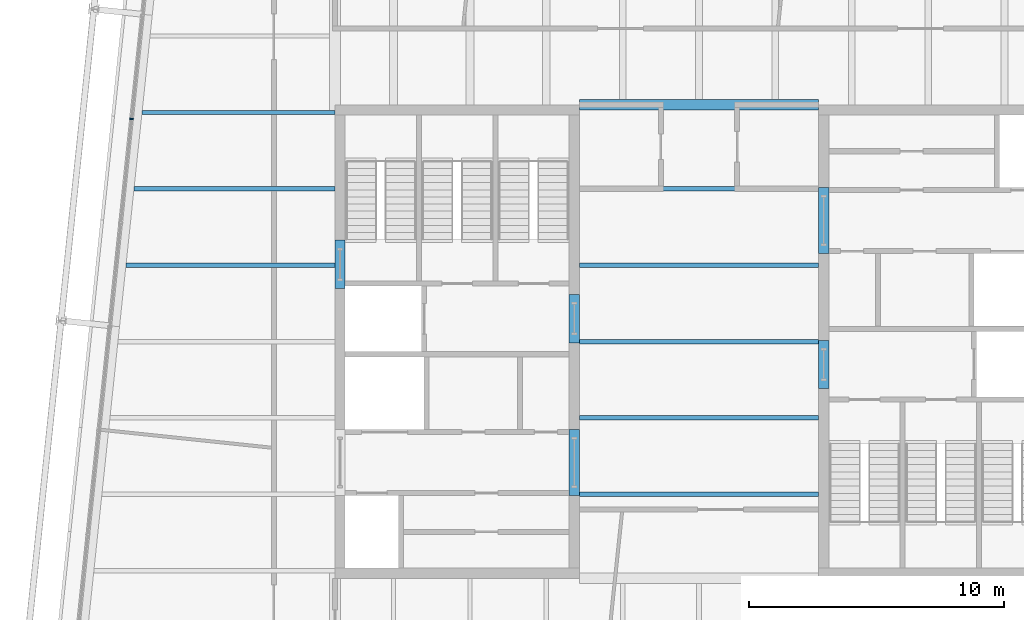
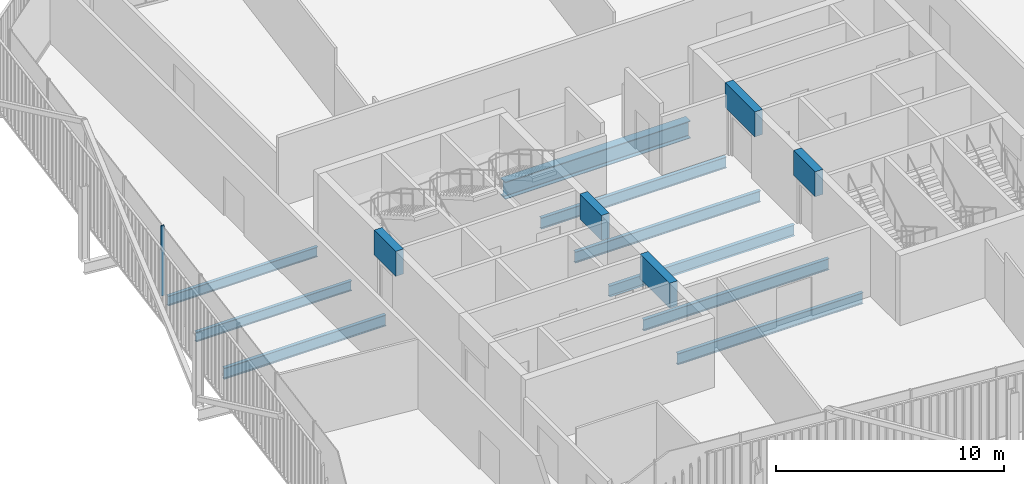
# One storey, part 8 of 21: 14 beams, 1 member, 1 element without a shape of its own.
"""IFC4 building model written with IfcOpenShell, lengths in metres."""

import ifcopenshell
import ifcopenshell.guid

model = None  # the IFC model being written
_history = None  # IfcOwnerHistory: only IFC2X3 demands one
_inside = {}  # id of a spatial element -> (the spatial element, [elements in it])
_under = {}  # id of a project, library or spatial element -> (it, [spatial elements below it])
_declared = {}  # id of a project -> (the project, [libraries it declares])
_typed = {}  # id of a type object -> (the type object, [elements of that type])
_made_of = {}  # id of a material, layer set ... -> (it, [elements and type objects made of it])


def new_model(schema):
    """Start an empty IFC model of exactly this schema.

    Asked for "IFC4X3", IfcOpenShell would pick the latest addendum, in which some entities
    have other attributes; the version numbers below select the first issue.
    IFC2X3 requires an IfcOwnerHistory on every rooted entity: one is made here for all.
    """
    global model, _history
    if schema == "IFC4X3":
        model = ifcopenshell.file(schema_version=(4, 3, 0, 0))
    else:
        model = ifcopenshell.file(schema=schema)
    _inside.clear()
    _under.clear()
    _declared.clear()
    _typed.clear()
    _made_of.clear()
    _history = None
    if model.schema == "IFC2X3":
        org = make("IfcOrganization", Name="unknown")
        user = make(
            "IfcPersonAndOrganization",
            ThePerson=make("IfcPerson", FamilyName="unknown"),
            TheOrganization=org,
        )
        app = make(
            "IfcApplication",
            ApplicationDeveloper=org,
            Version="unknown",
            ApplicationFullName="unknown",
            ApplicationIdentifier="unknown",
        )
        _history = make(
            "IfcOwnerHistory",
            OwningUser=user,
            OwningApplication=app,
            ChangeAction="ADDED",
            CreationDate=0,
        )
    return model


def make(cls, **values):
    """One entity of the class cls with the attributes given. An attribute that is None is left unset."""
    return model.create_entity(
        cls, **{name: value for name, value in values.items() if value is not None}
    )


def rooted(cls, **values):
    """An entity with a GlobalId (a new one), such as an element, a storey or a relation."""
    return make(cls, GlobalId=ifcopenshell.guid.new(), OwnerHistory=_history, **values)


def si_unit(unit_type, name, prefix=None):
    """IfcSIUnit, for example si_unit("LENGTHUNIT", "METRE", prefix="MILLI")."""
    return make("IfcSIUnit", UnitType=unit_type, Prefix=prefix, Name=name)


def assignment(units):
    """IfcUnitAssignment: the units of a project."""
    return None if units is None else make("IfcUnitAssignment", Units=units)


def point(xyz):
    """IfcCartesianPoint."""
    return None if xyz is None else make("IfcCartesianPoint", Coordinates=xyz)


def direction(xyz):
    """IfcDirection."""
    return None if xyz is None else make("IfcDirection", DirectionRatios=xyz)


def frame(location, z_axis=None, x_axis=None):
    """IfcAxis2Placement3D, a coordinate frame: its origin and axes. An axis left out is left unset."""
    return make(
        "IfcAxis2Placement3D",
        Location=point(location),
        Axis=direction(z_axis),
        RefDirection=direction(x_axis),
    )


def frame_2d(location, x_axis=None):
    """IfcAxis2Placement2D, a coordinate frame in the plane: its origin and x axis."""
    return make(
        "IfcAxis2Placement2D", Location=point(location), RefDirection=direction(x_axis)
    )


def origin():
    """The frame at (0, 0, 0) with its axes left unset."""
    return frame((0.0, 0.0, 0.0))


def origin_2d():
    """The frame at (0, 0) in the plane with its x axis left unset."""
    return frame_2d((0.0, 0.0))


def place(relative_to, where):
    """IfcLocalPlacement: puts the frame where relative to a parent placement (None: the world)."""
    return make(
        "IfcLocalPlacement", PlacementRelTo=relative_to, RelativePlacement=where
    )


def context(
    kind, dimensions, precision=None, world=None, true_north=None, identifier=None
):
    """IfcGeometricRepresentationContext, for example the 3D "Model" context."""
    return make(
        "IfcGeometricRepresentationContext",
        ContextIdentifier=identifier,
        ContextType=kind,
        CoordinateSpaceDimension=dimensions,
        Precision=precision,
        WorldCoordinateSystem=world,
        TrueNorth=true_north,
    )


def subcontext(parent, identifier, kind, view, scale=None):
    """IfcGeometricRepresentationSubContext, for example "Body" below "Model"."""
    return make(
        "IfcGeometricRepresentationSubContext",
        ContextIdentifier=identifier,
        ContextType=kind,
        ParentContext=parent,
        TargetScale=scale,
        TargetView=view,
    )


def project(units=None, contexts=None):
    """IfcProject with its units and contexts."""
    return rooted(
        "IfcProject",
        Name="project",
        RepresentationContexts=contexts,
        UnitsInContext=assignment(units),
    )


def spatial(cls, under=None, at=None, **own):
    """A site, building, storey or space (cls), placed at a placement, below another one or the project."""
    s = rooted(cls, ObjectPlacement=at, **own)
    if under is not None:
        _under.setdefault(under.id(), (under, []))[1].append(s)
    return s


def profile(cls, at=None, kind="AREA", **sizes):
    """A parametric profile (cls). Its sizes go by their IFC names, for example OverallWidth=200.0."""
    return make(cls, ProfileType=kind, Position=at, **sizes)


def rectangle(**sizes):
    """IfcRectangleProfileDef."""
    return profile("IfcRectangleProfileDef", **sizes)


def i_section(**sizes):
    """IfcIShapeProfileDef."""
    return profile("IfcIShapeProfileDef", **sizes)


def extrude(swept, where, along, depth):
    """IfcExtrudedAreaSolid: the profile swept, set in the frame where, extruded along a direction by depth."""
    return make(
        "IfcExtrudedAreaSolid",
        SweptArea=swept,
        Position=where,
        ExtrudedDirection=direction(along),
        Depth=depth,
    )


def shape(context_of_items, identifier, shape_type, items):
    """IfcShapeRepresentation: the items that make up one representation, for example the "Body"."""
    return make(
        "IfcShapeRepresentation",
        ContextOfItems=context_of_items,
        RepresentationIdentifier=identifier,
        RepresentationType=shape_type,
        Items=items,
    )


def material(Name=None, Category=None):
    """IfcMaterial."""
    return make("IfcMaterial", Name=Name, Category=Category)


def layer(
    of_material, thickness, ventilated=None, Name=None, Category=None, Priority=None
):
    """IfcMaterialLayer: one layer of a wall or slab, of a material (None: an air gap)."""
    return make(
        "IfcMaterialLayer",
        Material=of_material,
        LayerThickness=thickness,
        IsVentilated=ventilated,
        Name=Name,
        Category=Category,
        Priority=Priority,
    )


def layer_set(layers, Name=None):
    """IfcMaterialLayerSet."""
    return make("IfcMaterialLayerSet", MaterialLayers=layers, LayerSetName=Name)


def material_profile(
    of_material, cross_section, Name=None, Category=None, Priority=None
):
    """IfcMaterialProfile: a cross section and its material."""
    return make(
        "IfcMaterialProfile",
        Name=Name,
        Material=of_material,
        Profile=cross_section,
        Priority=Priority,
        Category=Category,
    )


def profile_set(profiles, Name=None, composite=None):
    """IfcMaterialProfileSet."""
    return make(
        "IfcMaterialProfileSet",
        Name=Name,
        MaterialProfiles=profiles,
        CompositeProfile=composite,
    )


def made_of(thing, what):
    """Note that an element or type object is made of a material, layer set ...; save() writes the relation."""
    if what is not None:
        _made_of.setdefault(what.id(), (what, []))[1].append(thing)
    return thing


def type_object(cls, material=None, **own):
    """A type object (cls), such as IfcWallType, which elements share."""
    return made_of(rooted(cls, **own), material)


def element(
    cls,
    number,
    at=None,
    inside=None,
    cuts=None,
    type_object=None,
    material=None,
    context=None,
    identifier="Body",
    shape_type=None,
    held_by="IfcProductDefinitionShape",
    body=None,
    shapes=None,
    **own,
):
    """One element of the class cls, such as IfcWall. Its Tag is "e" and its number.

    at: its placement. inside: the storey or other place that contains it. cuts: it is an
    opening in that element (IfcRelVoidsElement). A single representation is given by context,
    identifier, shape_type and body (its items); several are given by shapes. held_by: the class
    of the entity that holds the representations. save() writes the other relations.
    """
    e = rooted(cls, Tag="e%d" % number, ObjectPlacement=at, **own)
    if body is not None:
        shapes = [shape(context, identifier, shape_type, body)]
    if shapes is not None:
        e.Representation = make(held_by, Representations=shapes)
    if inside is not None:
        _inside.setdefault(inside.id(), (inside, []))[1].append(e)
    if cuts is not None:
        rooted(
            "IfcRelVoidsElement", RelatingBuildingElement=cuts, RelatedOpeningElement=e
        )
    if type_object is not None:
        _typed.setdefault(type_object.id(), (type_object, []))[1].append(e)
    return made_of(e, material)


def aggregate(whole, parts):
    """IfcRelAggregates: a whole, such as a stair, and the parts it consists of."""
    return rooted("IfcRelAggregates", RelatingObject=whole, RelatedObjects=parts)


def save(model, path):
    """Write the relations noted so far, then the file.

    IfcRelAggregates (storeys below a building ...), IfcRelContainedInSpatialStructure (elements
    in a storey), IfcRelDefinesByType, IfcRelAssociatesMaterial and IfcRelDeclares: one each for
    every whole, place, type object, material and project.
    """
    for whole, parts in _under.values():
        aggregate(whole, parts)
    for where, things in _inside.values():
        rooted(
            "IfcRelContainedInSpatialStructure",
            RelatedElements=things,
            RelatingStructure=where,
        )
    for kind, things in _typed.values():
        rooted("IfcRelDefinesByType", RelatedObjects=things, RelatingType=kind)
    for what, things in _made_of.values():
        rooted("IfcRelAssociatesMaterial", RelatedObjects=things, RelatingMaterial=what)
    for by, libraries in _declared.values():
        rooted("IfcRelDeclares", RelatingContext=by, RelatedDefinitions=libraries)
    model.write(path)


model = new_model("IFC4")

# Units and contexts
model_context = context("Model", 3, precision=1e-05, world=origin(), true_north=direction((0.0, 1.0)))
body_context = subcontext(model_context, "Body", "Model", "MODEL_VIEW")
ifc_project = project(units=[si_unit("LENGTHUNIT", "METRE"), si_unit("AREAUNIT", "SQUARE_METRE"), si_unit("VOLUMEUNIT", "CUBIC_METRE"), si_unit("PLANEANGLEUNIT", "RADIAN"), si_unit("MASSUNIT", "GRAM", prefix="KILO")], contexts=[model_context])

# Site, building, storey
site_placement = place(None, origin())
site = spatial("IfcSite", under=ifc_project, at=site_placement, CompositionType="ELEMENT")
building_placement = place(site_placement, origin())
building = spatial("IfcBuilding", under=site, at=building_placement, Name="Millrace Tower", CompositionType="ELEMENT")
storey_placement = place(building_placement, frame((0.0, 0.0, 299.39990234375)))
storey = spatial("IfcBuildingStorey", under=building, at=storey_placement, Name="L69", CompositionType="ELEMENT", Elevation=299.39990234375)

# Curtain wall, member
ifc_material_1 = material(Name="Aluminium and glass", Category="aluminium")
ifc_layer = layer(ifc_material_1, 0.14990234375)
ifc_layer_set = layer_set([ifc_layer], Name="Aluminium and glass")
curtain_wall_type = type_object("IfcCurtainWallType", Name="CW-1 office vision curtain wall", PredefinedType="NOTDEFINED", material=ifc_layer_set)
curtain_wall_placement = place(storey_placement, origin())
curtain_wall = element("IfcCurtainWall", 1, at=curtain_wall_placement, inside=storey, type_object=curtain_wall_type, Name="Curtain wall E-F08 L69", PredefinedType="NOTDEFINED")
ifc_material_2 = material(Name="Aluminium", Category="aluminium")
ifc_material_profile_1 = material_profile(ifc_material_2, rectangle(XDim=0.06494140625, YDim=0.14990234375, at=origin_2d()))
ifc_profile_set_1 = profile_set([ifc_material_profile_1], Name="Aluminium")
member_type = type_object("IfcMemberType", Name="CW-1 office vision curtain wall mullion", PredefinedType="MULLION", material=ifc_profile_set_1)
member_placement = place(storey_placement, frame((-22.2890625, 8.742431640625, 0.14013671875), z_axis=(0.0, 0.0, 1.0), x_axis=(-0.104528455196, -0.994521896217, 0.0)))
member = element("IfcMember", 2, at=member_placement, type_object=member_type, Name="CW1 mullion E-F08.5", PredefinedType="MULLION", context=body_context, shape_type="SweptSolid", body=[
    extrude(rectangle(XDim=0.06494140625, YDim=0.14990234375, at=origin_2d()), origin(), (0.0, 0.0, 1.0), 3.760009765625),
])
aggregate(curtain_wall, [member])

# Beams
ifc_material_3 = material(Name="Concrete C60", Category="concrete")
ifc_material_profile_2 = material_profile(ifc_material_3, rectangle(XDim=0.39990234375, YDim=1.340087890625, at=origin_2d()))
ifc_profile_set_2 = profile_set([ifc_material_profile_2], Name="Concrete C60")
beam_type_1 = type_object("IfcBeamType", Name="Coupling beam 400 x 1340 Concrete C60, 1300 opening", PredefinedType="BEAM", material=ifc_profile_set_2)
beam_1_placement = place(storey_placement, frame((-14.10009765625, 2.080078125, 3.070068359375), z_axis=(0.0, 1.0, 0.0), x_axis=(-1.0, 0.0, 0.0)))
element("IfcBeam", 3, at=beam_1_placement, inside=storey, type_object=beam_type_1, Name="Coupling beam W L69", PredefinedType="BEAM", context=body_context, shape_type="SweptSolid", body=[
    extrude(rectangle(XDim=0.39990234375, YDim=1.340087890625, at=origin_2d()), origin(), (0.0, 0.0, 1.0), 1.89990234375),
])
for number, where, z_axis, x_axis, name in (
    (4, (-4.89990234375, -0.050048828125, 3.070068359375), (0.0, 1.0, 0.0), (-1.0, 0.0, 0.0), "Coupling beam W L69"),
    (5, (4.89990234375, 0.050048828125, 3.070068359375), (0.0, -1.0, 0.0), (1.0, 0.0, 0.0), "Coupling beam E L69"),
):
    element("IfcBeam", number, at=place(storey_placement, frame(where, z_axis=z_axis, x_axis=x_axis)), inside=storey, type_object=beam_type_1, Name=name, PredefinedType="BEAM", context=body_context, shape_type="SweptSolid", body=[
        extrude(rectangle(XDim=0.39990234375, YDim=1.340087890625, at=origin_2d()), origin(), (0.0, 0.0, 1.0), 1.900146484375),
    ])
ifc_material_4 = material(Name="Concrete C60", Category="concrete")
ifc_material_profile_3 = material_profile(ifc_material_4, rectangle(XDim=0.39990234375, YDim=1.340087890625, at=origin_2d()))
ifc_profile_set_3 = profile_set([ifc_material_profile_3], Name="Concrete C60")
beam_type_2 = type_object("IfcBeamType", Name="Coupling beam 400 x 1340 Concrete C60, 2000 opening", PredefinedType="BEAM", material=ifc_profile_set_3)
for number, where, z_axis, x_axis, name in (
    (6, (-4.89990234375, -6.050048828125, 3.070068359375), (0.0, 1.0, 0.0), (-1.0, 0.0, 0.0), "Coupling beam W L69"),
    (7, (4.89990234375, 6.050048828125, 3.070068359375), (0.0, -1.0, 0.0), (1.0, 0.0, 0.0), "Coupling beam E L69"),
):
    element("IfcBeam", number, at=place(storey_placement, frame(where, z_axis=z_axis, x_axis=x_axis)), inside=storey, type_object=beam_type_2, Name=name, PredefinedType="BEAM", context=body_context, shape_type="SweptSolid", body=[
        extrude(rectangle(XDim=0.39990234375, YDim=1.340087890625, at=origin_2d()), origin(), (0.0, 0.0, 1.0), 2.60009765625),
    ])
ifc_material_5 = material(Name="Steel ASTM A992 Grade 50", Category="steel")
ifc_material_profile_4 = material_profile(ifc_material_5, i_section(OverallWidth=0.1650390625, OverallDepth=0.52587890625, WebThickness=0.0087890625, FlangeThickness=0.011474609375, FilletRadius=0.0126953125, at=origin_2d()))
ifc_profile_set_4 = profile_set([ifc_material_profile_4], Name="Steel ASTM A992 Grade 50")
beam_type_3 = type_object("IfcBeamType", Name="Floor beam W21x44", PredefinedType="JOIST", material=ifc_profile_set_4)
beam_2_placement = place(storey_placement, frame((-22.19287109375, 6.0, -0.4228515625), z_axis=(1.0, 0.0, 0.0), x_axis=(0.0, 1.0, 0.0)))
element("IfcBeam", 8, at=beam_2_placement, inside=storey, type_object=beam_type_3, Name="BM-E-L69-S1-S021", PredefinedType="JOIST", context=body_context, shape_type="SweptSolid", body=[
    extrude(i_section(OverallWidth=0.1650390625, OverallDepth=0.52587890625, WebThickness=0.0087890625, FlangeThickness=0.011474609375, FilletRadius=0.0126953125, at=origin_2d()), origin(), (0.0, 0.0, 1.0), 7.892822265625),
])
beam_3_placement = place(storey_placement, frame((-21.87744140625, 9.0, -0.4228515625), z_axis=(1.0, 0.0, 0.0), x_axis=(0.0, 1.0, 0.0)))
element("IfcBeam", 9, at=beam_3_placement, inside=storey, type_object=beam_type_3, Name="BM-E-L69-S1-S023", PredefinedType="JOIST", context=body_context, shape_type="SweptSolid", body=[
    extrude(i_section(OverallWidth=0.1650390625, OverallDepth=0.52587890625, WebThickness=0.0087890625, FlangeThickness=0.011474609375, FilletRadius=0.0126953125, at=origin_2d()), origin(), (0.0, 0.0, 1.0), 7.577392578125),
])
ifc_material_6 = material(Name="Steel ASTM A992 Grade 50", Category="steel")
ifc_material_profile_5 = material_profile(ifc_material_6, i_section(OverallWidth=0.177978515625, OverallDepth=0.599365234375, WebThickness=0.010009765625, FlangeThickness=0.012939453125, FilletRadius=0.012939453125, at=origin_2d()))
ifc_profile_set_5 = profile_set([ifc_material_profile_5], Name="Steel ASTM A992 Grade 50")
beam_type_4 = type_object("IfcBeamType", Name="Floor beam W24x55", PredefinedType="JOIST", material=ifc_profile_set_5)
for number, where, z_axis, x_axis, name in (
    (10, (-4.699951171875, -6.0, -0.459716796875), (1.0, 0.0, 0.0), (0.0, 1.0, 0.0), "BM-E-L69-S1-S008"),
    (11, (-4.699951171875, -3.0, -0.459716796875), (1.0, 0.0, 0.0), (0.0, 1.0, 0.0), "BM-E-L69-S1-S011"),
    (12, (-4.699951171875, 0.0, -0.459716796875), (1.0, 0.0, 0.0), (0.0, 1.0, 0.0), "BM-E-L69-S1-S014"),
    (13, (-4.699951171875, 3.0, -0.459716796875), (1.0, 0.0, 0.0), (0.0, 1.0, 0.0), "BM-E-L69-S1-S017"),
):
    element("IfcBeam", number, at=place(storey_placement, frame(where, z_axis=z_axis, x_axis=x_axis)), inside=storey, type_object=beam_type_4, Name=name, PredefinedType="JOIST", context=body_context, shape_type="SweptSolid", body=[
        extrude(i_section(OverallWidth=0.177978515625, OverallDepth=0.599365234375, WebThickness=0.010009765625, FlangeThickness=0.012939453125, FilletRadius=0.012939453125, at=origin_2d()), origin(), (0.0, 0.0, 1.0), 9.39990234375),
    ])
beam_4_placement = place(storey_placement, frame((-22.508056640625, 3.0, -0.459716796875), z_axis=(1.0, 0.0, 0.0), x_axis=(0.0, 1.0, 0.0)))
element("IfcBeam", 14, at=beam_4_placement, inside=storey, type_object=beam_type_4, Name="BM-E-L69-S1-S018", PredefinedType="JOIST", context=body_context, shape_type="SweptSolid", body=[
    extrude(i_section(OverallWidth=0.177978515625, OverallDepth=0.599365234375, WebThickness=0.010009765625, FlangeThickness=0.012939453125, FilletRadius=0.012939453125, at=origin_2d()), origin(), (0.0, 0.0, 1.0), 8.2080078125),
])
beam_5_placement = place(storey_placement, frame((-4.699951171875, 6.0, -0.459716796875), z_axis=(1.0, 0.0, 0.0), x_axis=(0.0, 1.0, 0.0)))
element("IfcBeam", 15, at=beam_5_placement, inside=storey, type_object=beam_type_4, Name="BM-E-L69-S1-S020", PredefinedType="JOIST", context=body_context, shape_type="SweptSolid", body=[
    extrude(i_section(OverallWidth=0.177978515625, OverallDepth=0.599365234375, WebThickness=0.010009765625, FlangeThickness=0.012939453125, FilletRadius=0.012939453125, at=origin_2d()), origin(), (0.0, 0.0, 1.0), 9.39990234375),
])
ifc_material_7 = material(Name="Steel ASTM A992 Grade 50", Category="steel")
ifc_material_profile_6 = material_profile(ifc_material_7, i_section(OverallWidth=0.419189453125, OverallDepth=0.927001953125, WebThickness=0.019287109375, FlangeThickness=0.031982421875, FilletRadius=0.024169921875, at=origin_2d()))
ifc_profile_set_6 = profile_set([ifc_material_profile_6], Name="Steel ASTM A992 Grade 50")
beam_type_5 = type_object("IfcBeamType", Name="Girder short span W36x231", PredefinedType="BEAM", material=ifc_profile_set_6)
beam_6_placement = place(storey_placement, frame((-4.699951171875, 9.300048828125, -0.62353515625), z_axis=(1.0, 0.0, 0.0), x_axis=(0.0, 1.0, 0.0)))
element("IfcBeam", 16, at=beam_6_placement, inside=storey, type_object=beam_type_5, Name="BM-E-L69-S1-G058", PredefinedType="BEAM", context=body_context, shape_type="SweptSolid", body=[
    extrude(i_section(OverallWidth=0.419189453125, OverallDepth=0.927001953125, WebThickness=0.019287109375, FlangeThickness=0.031982421875, FilletRadius=0.024169921875, at=origin_2d()), origin(), (0.0, 0.0, 1.0), 9.39990234375),
])

save(model, "model.ifc")
